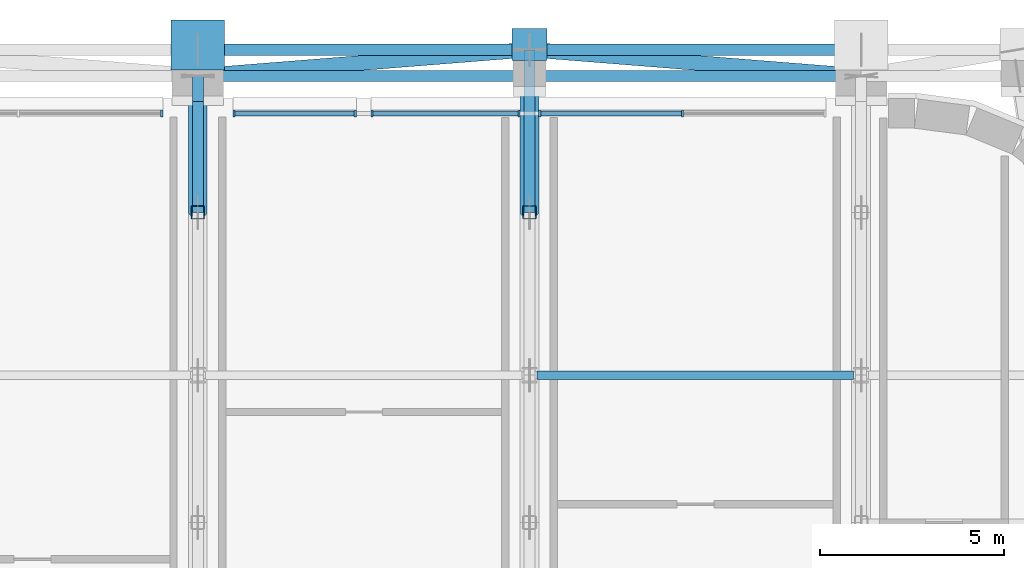
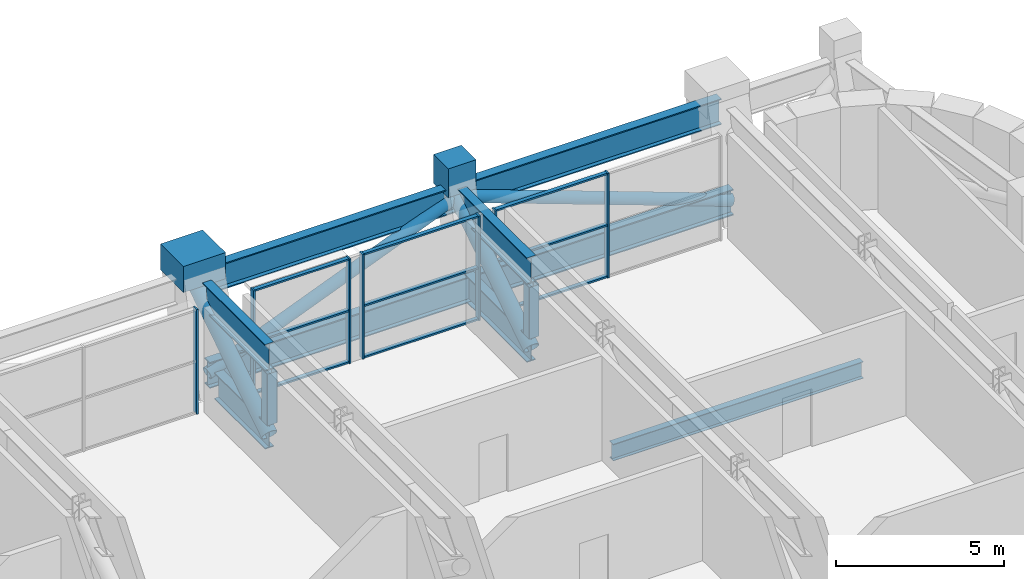
# One storey, part 10 of 26: 30 members, 3 beams, 4 elements without a shape of their own.
"""IFC4 building model written with IfcOpenShell, lengths in metres."""

from ifc_helpers import new_model, si_unit, direction, frame, origin, origin_2d, place, context, subcontext, project, spatial, rectangle, hollow_rectangle, hollow_circle, i_section, extrude, material, material_profile, profile_set, type_object, element, aggregate, save


model = new_model("IFC4")

# Units and contexts
model_context = context("Model", 3, precision=1e-05, world=origin(), true_north=direction((0.0, 1.0)))
body_context = subcontext(model_context, "Body", "Model", "MODEL_VIEW")
ifc_project = project(units=[si_unit("LENGTHUNIT", "METRE"), si_unit("AREAUNIT", "SQUARE_METRE"), si_unit("VOLUMEUNIT", "CUBIC_METRE"), si_unit("PLANEANGLEUNIT", "RADIAN"), si_unit("MASSUNIT", "GRAM", prefix="KILO")], contexts=[model_context])

# Site, building, storey
site_placement = place(None, origin())
site = spatial("IfcSite", under=ifc_project, at=site_placement, CompositionType="ELEMENT")
building_placement = place(site_placement, origin())
building = spatial("IfcBuilding", under=site, at=building_placement, Name="Zellij Exchange Tower", CompositionType="ELEMENT")
storey_placement = place(building_placement, frame((0.0, 0.0, 216.5)))
storey = spatial("IfcBuildingStorey", under=building, at=storey_placement, Name="L50", CompositionType="ELEMENT", Elevation=216.5)

# Curtain wall, members
ifc_material_1 = material(Name="Aluminium frame, clear insulating glass", Category="aluminium")
curtain_wall_type = type_object("IfcCurtainWallType", Name="ENV-CW2 Outrigger-storey glazing", PredefinedType="NOTDEFINED", material=ifc_material_1)
curtain_wall_1_placement = place(storey_placement, origin())
curtain_wall_1 = element("IfcCurtainWall", 1, at=curtain_wall_1_placement, inside=storey, type_object=curtain_wall_type, Name="cw.L50.14b.a", PredefinedType="NOTDEFINED")
ifc_material_2 = material(Name="Aluminium", Category="aluminium")
ifc_material_profile_1 = material_profile(ifc_material_2, rectangle(XDim=0.06005859375, YDim=0.199951171875, at=origin_2d()), Name="AL 60x200")
ifc_profile_set_1 = profile_set([ifc_material_profile_1], Name="Aluminium")
member_type_1 = type_object("IfcMemberType", Name="ENV-CW2M Mullion 60x200", PredefinedType="MULLION", material=ifc_profile_set_1)
member_1_placement = place(storey_placement, frame((22.14990234375, 29.10009765625, 0.0), z_axis=(0.0, 0.0, 1.0), x_axis=(-1.0, 0.0, 0.0)))
member_1 = element("IfcMember", 2, at=member_1_placement, type_object=member_type_1, Name="CW2 mullion 2", PredefinedType="MULLION", context=body_context, shape_type="SweptSolid", body=[
    extrude(rectangle(XDim=0.06005859375, YDim=0.199951171875, at=origin_2d()), origin(), (0.0, 0.0, 1.0), 3.800048828125),
])
member_2_placement = place(storey_placement, frame((18.27978515625, 29.10009765625, 0.0), z_axis=(0.0, 0.0, 1.0), x_axis=(-1.0, 0.0, 0.0)))
member_2 = element("IfcMember", 3, at=member_2_placement, type_object=member_type_1, Name="CW2 mullion 3", PredefinedType="MULLION", context=body_context, shape_type="SweptSolid", body=[
    extrude(rectangle(XDim=0.06005859375, YDim=0.199951171875, at=origin_2d()), origin(), (0.0, 0.0, 1.0), 3.800048828125),
])

curtain_wall_2_placement = place(storey_placement, origin())
curtain_wall_2 = element("IfcCurtainWall", 4, at=curtain_wall_2_placement, inside=storey, type_object=curtain_wall_type, Name="cw.L50.14b.b", PredefinedType="NOTDEFINED")
member_3_placement = place(storey_placement, frame((17.72021484375, 29.10009765625, 0.0), z_axis=(0.0, 0.0, 1.0), x_axis=(-1.0, 0.0, 0.0)))
member_3 = element("IfcMember", 5, at=member_3_placement, type_object=member_type_1, Name="CW2 mullion 1", PredefinedType="MULLION", context=body_context, shape_type="SweptSolid", body=[
    extrude(rectangle(XDim=0.06005859375, YDim=0.199951171875, at=origin_2d()), origin(), (0.0, 0.0, 1.0), 3.800048828125),
])
member_4_placement = place(storey_placement, frame((13.72998046875, 29.10009765625, 0.0), z_axis=(0.0, 0.0, 1.0), x_axis=(-1.0, 0.0, 0.0)))
member_4 = element("IfcMember", 6, at=member_4_placement, type_object=member_type_1, Name="CW2 mullion 2", PredefinedType="MULLION", context=body_context, shape_type="SweptSolid", body=[
    extrude(rectangle(XDim=0.06005859375, YDim=0.199951171875, at=origin_2d()), origin(), (0.0, 0.0, 1.0), 3.800048828125),
])

curtain_wall_3_placement = place(storey_placement, origin())
curtain_wall_3 = element("IfcCurtainWall", 7, at=curtain_wall_3_placement, inside=storey, type_object=curtain_wall_type, Name="cw.L50.14c", PredefinedType="NOTDEFINED")
member_5_placement = place(storey_placement, frame((13.27001953125, 29.10009765625, 0.0), z_axis=(0.0, 0.0, 1.0), x_axis=(-1.0, 0.0, 0.0)))
member_5 = element("IfcMember", 8, at=member_5_placement, type_object=member_type_1, Name="CW2 mullion 1", PredefinedType="MULLION", context=body_context, shape_type="SweptSolid", body=[
    extrude(rectangle(XDim=0.06005859375, YDim=0.199951171875, at=origin_2d()), origin(), (0.0, 0.0, 1.0), 3.800048828125),
])
member_6_placement = place(storey_placement, frame((9.97998046875, 29.10009765625, 0.0), z_axis=(0.0, 0.0, 1.0), x_axis=(-1.0, 0.0, 0.0)))
member_6 = element("IfcMember", 9, at=member_6_placement, type_object=member_type_1, Name="CW2 mullion 2", PredefinedType="MULLION", context=body_context, shape_type="SweptSolid", body=[
    extrude(rectangle(XDim=0.06005859375, YDim=0.199951171875, at=origin_2d()), origin(), (0.0, 0.0, 1.0), 3.800048828125),
])

# Curtain wall, member
curtain_wall_4_placement = place(storey_placement, origin())
curtain_wall_4 = element("IfcCurtainWall", 10, at=curtain_wall_4_placement, inside=storey, type_object=curtain_wall_type, Name="cw.L50.14d", PredefinedType="NOTDEFINED")
member_7_placement = place(storey_placement, frame((8.02001953125, 29.10009765625, 0.0), z_axis=(0.0, 0.0, 1.0), x_axis=(-1.0, 0.0, 0.0)))
member_7 = element("IfcMember", 11, at=member_7_placement, type_object=member_type_1, Name="CW2 mullion 1", PredefinedType="MULLION", context=body_context, shape_type="SweptSolid", body=[
    extrude(rectangle(XDim=0.06005859375, YDim=0.199951171875, at=origin_2d()), origin(), (0.0, 0.0, 1.0), 3.800048828125),
])
aggregate(curtain_wall_4, [member_7])

# Member
ifc_material_profile_2 = material_profile(ifc_material_2, rectangle(XDim=0.139892578125, YDim=0.06005859375, at=origin_2d()), Name="AL 140x60")
ifc_profile_set_2 = profile_set([ifc_material_profile_2], Name="Aluminium")
member_type_2 = type_object("IfcMemberType", Name="ENV-CW2T Transom 140x60", PredefinedType="USERDEFINED", material=ifc_profile_set_2)
member_8_placement = place(storey_placement, frame((22.119873046875, 29.10009765625, 0.030029296875), z_axis=(-1.0, 0.0, 0.0), x_axis=(0.0, -1.0, 0.0)))
member_8 = element("IfcMember", 12, at=member_8_placement, type_object=member_type_2, Name="CW2 transom 2.1", ObjectType="TRANSOM", PredefinedType="USERDEFINED", context=body_context, shape_type="SweptSolid", body=[
    extrude(rectangle(XDim=0.139892578125, YDim=0.06005859375, at=origin_2d()), origin(), (0.0, 0.0, 1.0), 3.81005859375),
])

member_9_placement = place(storey_placement, frame((22.119873046875, 29.10009765625, 1.89990234375), z_axis=(-1.0, 0.0, 0.0), x_axis=(0.0, -1.0, 0.0)))
member_9 = element("IfcMember", 13, at=member_9_placement, type_object=member_type_2, Name="CW2 transom 2.2", ObjectType="TRANSOM", PredefinedType="USERDEFINED", context=body_context, shape_type="SweptSolid", body=[
    extrude(rectangle(XDim=0.139892578125, YDim=0.06005859375, at=origin_2d()), origin(), (0.0, 0.0, 1.0), 3.81005859375),
])

member_10_placement = place(storey_placement, frame((22.119873046875, 29.10009765625, 3.77001953125), z_axis=(-1.0, 0.0, 0.0), x_axis=(0.0, -1.0, 0.0)))
member_10 = element("IfcMember", 14, at=member_10_placement, type_object=member_type_2, Name="CW2 transom 2.3", ObjectType="TRANSOM", PredefinedType="USERDEFINED", context=body_context, shape_type="SweptSolid", body=[
    extrude(rectangle(XDim=0.139892578125, YDim=0.06005859375, at=origin_2d()), origin(), (0.0, 0.0, 1.0), 3.81005859375),
])

aggregate(curtain_wall_1, [member_1, member_2, member_8, member_9, member_10])

member_11_placement = place(storey_placement, frame((17.690185546875, 29.10009765625, 0.030029296875), z_axis=(-1.0, 0.0, 0.0), x_axis=(0.0, -1.0, 0.0)))
member_11 = element("IfcMember", 15, at=member_11_placement, type_object=member_type_2, Name="CW2 transom 1.1", ObjectType="TRANSOM", PredefinedType="USERDEFINED", context=body_context, shape_type="SweptSolid", body=[
    extrude(rectangle(XDim=0.139892578125, YDim=0.06005859375, at=origin_2d()), origin(), (0.0, 0.0, 1.0), 3.93017578125),
])

member_12_placement = place(storey_placement, frame((17.690185546875, 29.10009765625, 1.89990234375), z_axis=(-1.0, 0.0, 0.0), x_axis=(0.0, -1.0, 0.0)))
member_12 = element("IfcMember", 16, at=member_12_placement, type_object=member_type_2, Name="CW2 transom 1.2", ObjectType="TRANSOM", PredefinedType="USERDEFINED", context=body_context, shape_type="SweptSolid", body=[
    extrude(rectangle(XDim=0.139892578125, YDim=0.06005859375, at=origin_2d()), origin(), (0.0, 0.0, 1.0), 3.93017578125),
])

member_13_placement = place(storey_placement, frame((17.690185546875, 29.10009765625, 3.77001953125), z_axis=(-1.0, 0.0, 0.0), x_axis=(0.0, -1.0, 0.0)))
member_13 = element("IfcMember", 17, at=member_13_placement, type_object=member_type_2, Name="CW2 transom 1.3", ObjectType="TRANSOM", PredefinedType="USERDEFINED", context=body_context, shape_type="SweptSolid", body=[
    extrude(rectangle(XDim=0.139892578125, YDim=0.06005859375, at=origin_2d()), origin(), (0.0, 0.0, 1.0), 3.93017578125),
])

aggregate(curtain_wall_2, [member_3, member_4, member_11, member_12, member_13])

member_14_placement = place(storey_placement, frame((13.239990234375, 29.10009765625, 0.030029296875), z_axis=(-1.0, 0.0, 0.0), x_axis=(0.0, -1.0, 0.0)))
member_14 = element("IfcMember", 18, at=member_14_placement, type_object=member_type_2, Name="CW2 transom 1.1", ObjectType="TRANSOM", PredefinedType="USERDEFINED", context=body_context, shape_type="SweptSolid", body=[
    extrude(rectangle(XDim=0.139892578125, YDim=0.06005859375, at=origin_2d()), origin(), (0.0, 0.0, 1.0), 3.22998046875),
])

member_15_placement = place(storey_placement, frame((13.239990234375, 29.10009765625, 1.89990234375), z_axis=(-1.0, 0.0, 0.0), x_axis=(0.0, -1.0, 0.0)))
member_15 = element("IfcMember", 19, at=member_15_placement, type_object=member_type_2, Name="CW2 transom 1.2", ObjectType="TRANSOM", PredefinedType="USERDEFINED", context=body_context, shape_type="SweptSolid", body=[
    extrude(rectangle(XDim=0.139892578125, YDim=0.06005859375, at=origin_2d()), origin(), (0.0, 0.0, 1.0), 3.22998046875),
])

member_16_placement = place(storey_placement, frame((13.239990234375, 29.10009765625, 3.77001953125), z_axis=(-1.0, 0.0, 0.0), x_axis=(0.0, -1.0, 0.0)))
member_16 = element("IfcMember", 20, at=member_16_placement, type_object=member_type_2, Name="CW2 transom 1.3", ObjectType="TRANSOM", PredefinedType="USERDEFINED", context=body_context, shape_type="SweptSolid", body=[
    extrude(rectangle(XDim=0.139892578125, YDim=0.06005859375, at=origin_2d()), origin(), (0.0, 0.0, 1.0), 3.22998046875),
])

aggregate(curtain_wall_3, [member_5, member_6, member_14, member_15, member_16])

# Members
ifc_material_3 = material(Name="Structural steel ASTM A992 Gr 50", Category="steel")
ifc_material_profile_3 = material_profile(ifc_material_3, i_section(OverallWidth=0.307373046875, OverallDepth=0.9423828125, WebThickness=0.022216796875, FlangeThickness=0.039794921875, at=origin_2d()), Name="W36x232")
ifc_profile_set_3 = profile_set([ifc_material_profile_3], Name="Structural steel ASTM A992 Gr 50")
member_type_3 = type_object("IfcMemberType", Name="STR-BELT TRUSS CHORD W36x232", PredefinedType="CHORD", material=ifc_profile_set_3)
for number, where, z_axis, x_axis, name in (
    (21, (9.0, 30.117919921875, 0.47119140625), (1.0, 0.0, 0.0), (0.0, 1.0, 0.0), "BT1"),
    (22, (9.0, 30.832275390625, 3.328857421875), (1.0, 0.0, 0.0), (0.0, 1.0, 0.0), "BT1"),
    (23, (18.0, 30.117919921875, 0.47119140625), (1.0, 0.0, 0.0), (0.0, 1.0, 0.0), "BT1"),
    (24, (18.0, 30.832275390625, 3.328857421875), (1.0, 0.0, 0.0), (0.0, 1.0, 0.0), "BT1"),
):
    element("IfcMember", number, at=place(storey_placement, frame(where, z_axis=z_axis, x_axis=x_axis)), inside=storey, type_object=member_type_3, Name=name, PredefinedType="CHORD", context=body_context, shape_type="SweptSolid", body=[
        extrude(i_section(OverallWidth=0.307373046875, OverallDepth=0.9423828125, WebThickness=0.022216796875, FlangeThickness=0.039794921875, at=origin_2d()), origin(), (0.0, 0.0, 1.0), 9.0),
    ])
ifc_material_4 = material(Name="Structural steel ASTM A500 Gr C", Category="steel")
ifc_material_profile_4 = material_profile(ifc_material_4, hollow_circle(Radius=0.203125, WallThickness=0.01171875, at=origin_2d()), Name="STR-BELT TRUSS DIAGONAL HSS16.000x0.500")
ifc_profile_set_4 = profile_set([ifc_material_profile_4], Name="Structural steel ASTM A500 Gr C")
member_type_4 = type_object("IfcMemberType", Name="STR-BELT TRUSS DIAGONAL HSS16.000x0.500", PredefinedType="BRACE", material=ifc_profile_set_4)
for number, where, z_axis, x_axis, name in (
    (25, (9.0, 30.117919921875, 0.47119140625), (0.950392591406, 0.075435349459, 0.301767178885), (-0.079123978831, 0.996864783195, 0.0), "BT2"),
    (26, (18.0, 30.832275390625, 3.328857421875), (0.950392591406, -0.075435349459, -0.301767178885), (0.079123978831, 0.996864783195, 0.0), "BT2"),
):
    element("IfcMember", number, at=place(storey_placement, frame(where, z_axis=z_axis, x_axis=x_axis)), inside=storey, type_object=member_type_4, Name=name, PredefinedType="BRACE", context=body_context, shape_type="SweptSolid", body=[
        extrude(hollow_circle(Radius=0.203125, WallThickness=0.01171875, at=origin_2d()), origin(), (0.0, 0.0, 1.0), 9.4697265625),
    ])

# Beams
ifc_material_profile_5 = material_profile(ifc_material_3, i_section(OverallWidth=0.228271484375, OverallDepth=0.607177734375, WebThickness=0.01123046875, FlangeThickness=0.017333984375, at=origin_2d()), Name="W24x76")
ifc_profile_set_5 = profile_set([ifc_material_profile_5], Name="Structural steel ASTM A992 Gr 50")
beam_type_1 = type_object("IfcBeamType", Name="STR-GIRDER W24x76", PredefinedType="BEAM", material=ifc_profile_set_5)
beam_1_placement = place(storey_placement, frame((18.20458984375, 22.0, -0.653564453125), z_axis=(1.0, 0.0, 0.0), x_axis=(0.0, 1.0, 0.0)))
element("IfcBeam", 27, at=beam_1_placement, inside=storey, type_object=beam_type_1, Name="G2", PredefinedType="BEAM", context=body_context, shape_type="SweptSolid", body=[
    extrude(i_section(OverallWidth=0.228271484375, OverallDepth=0.607177734375, WebThickness=0.01123046875, FlangeThickness=0.017333984375, at=origin_2d()), origin(), (0.0, 0.0, 1.0), 8.5908203125),
])
ifc_material_5 = material(Name="Concrete C60/75", Category="concrete")
ifc_material_profile_6 = material_profile(ifc_material_5, rectangle(XDim=1.449951171875, YDim=0.949951171875, at=origin_2d()), Name="STR-KNUCKLE BLOCK RC1450x950 C60/75")
ifc_profile_set_6 = profile_set([ifc_material_profile_6], Name="Concrete C60/75")
beam_type_2 = type_object("IfcBeamType", Name="STR-KNUCKLE BLOCK RC1450x950 C60/75", PredefinedType="BEAM", material=ifc_profile_set_6)
beam_2_placement = place(storey_placement, frame((9.0, 30.278564453125, 4.02490234375), z_axis=(0.0, 1.0, 0.0), x_axis=(-1.0, 0.0, 0.0)))
element("IfcBeam", 28, at=beam_2_placement, inside=storey, type_object=beam_type_2, Name="KB7", PredefinedType="BEAM", context=body_context, shape_type="SweptSolid", body=[
    extrude(rectangle(XDim=1.449951171875, YDim=0.949951171875, at=origin_2d()), origin(), (0.0, 0.0, 1.0), 1.358154296875),
])
ifc_material_profile_7 = material_profile(ifc_material_5, rectangle(XDim=0.949951171875, YDim=1.050048828125, at=origin_2d()), Name="STR-KNUCKLE BLOCK RC950x1050 C60/75")
ifc_profile_set_7 = profile_set([ifc_material_profile_7], Name="Concrete C60/75")
beam_type_3 = type_object("IfcBeamType", Name="STR-KNUCKLE BLOCK RC950x1050 C60/75", PredefinedType="BEAM", material=ifc_profile_set_7)
beam_3_placement = place(storey_placement, frame((18.0, 30.5361328125, 4.125), z_axis=(0.0, 1.0, 0.0), x_axis=(-1.0, 0.0, 0.0)))
element("IfcBeam", 29, at=beam_3_placement, inside=storey, type_object=beam_type_3, Name="KB2", PredefinedType="BEAM", context=body_context, shape_type="SweptSolid", body=[
    extrude(rectangle(XDim=0.949951171875, YDim=1.050048828125, at=origin_2d()), origin(), (0.0, 0.0, 1.0), 0.873046875),
])

# Members
ifc_material_6 = material(Name="Structural steel ASTM A913 Gr 65", Category="steel")
ifc_material_profile_8 = material_profile(ifc_material_6, i_section(OverallWidth=0.2998046875, OverallDepth=0.965087890625, WebThickness=0.01904296875, FlangeThickness=0.0361328125, at=origin_2d()), Name="W40x249")
ifc_profile_set_8 = profile_set([ifc_material_profile_8], Name="Structural steel ASTM A913 Gr 65")
member_type_5 = type_object("IfcMemberType", Name="STR-OUTRIGGER TRUSS CHORD W40x249", PredefinedType="CHORD", material=ifc_profile_set_8)
member_17_placement = place(storey_placement, frame((9.0, 26.4150390625, 3.3173828125), z_axis=(0.0, 1.0, 0.0), x_axis=(-1.0, 0.0, 0.0)))
element("IfcMember", 30, at=member_17_placement, inside=storey, type_object=member_type_5, Name="OT1", PredefinedType="CHORD", context=body_context, shape_type="SweptSolid", body=[
    extrude(i_section(OverallWidth=0.2998046875, OverallDepth=0.965087890625, WebThickness=0.01904296875, FlangeThickness=0.0361328125, at=origin_2d()), origin(), (0.0, 0.0, 1.0), 3.71435546875),
])
member_18_placement = place(storey_placement, frame((9.0, 26.4150390625, 0.482666015625), z_axis=(0.0, 1.0, 0.0), x_axis=(-1.0, 0.0, 0.0)))
element("IfcMember", 31, at=member_18_placement, inside=storey, type_object=member_type_5, Name="OT1", PredefinedType="CHORD", context=body_context, shape_type="SweptSolid", body=[
    extrude(i_section(OverallWidth=0.2998046875, OverallDepth=0.965087890625, WebThickness=0.01904296875, FlangeThickness=0.0361328125, at=origin_2d()), origin(), (0.0, 0.0, 1.0), 3.005615234375),
])
member_19_placement = place(storey_placement, frame((18.0, 26.4150390625, 3.3173828125), z_axis=(0.0, 1.0, 0.0), x_axis=(-1.0, 0.0, 0.0)))
element("IfcMember", 32, at=member_19_placement, inside=storey, type_object=member_type_5, Name="OT1", PredefinedType="CHORD", context=body_context, shape_type="SweptSolid", body=[
    extrude(i_section(OverallWidth=0.2998046875, OverallDepth=0.965087890625, WebThickness=0.01904296875, FlangeThickness=0.0361328125, at=origin_2d()), origin(), (0.0, 0.0, 1.0), 4.414306640625),
])
member_20_placement = place(storey_placement, frame((18.0, 26.4150390625, 0.482666015625), z_axis=(0.0, 1.0, 0.0), x_axis=(-1.0, 0.0, 0.0)))
element("IfcMember", 33, at=member_20_placement, inside=storey, type_object=member_type_5, Name="OT1", PredefinedType="CHORD", context=body_context, shape_type="SweptSolid", body=[
    extrude(i_section(OverallWidth=0.2998046875, OverallDepth=0.965087890625, WebThickness=0.01904296875, FlangeThickness=0.0361328125, at=origin_2d()), origin(), (0.0, 0.0, 1.0), 3.70556640625),
])
ifc_material_profile_9 = material_profile(ifc_material_4, hollow_circle(Radius=0.25390625, WallThickness=0.01171875, at=origin_2d()), Name="STR-OUTRIGGER TRUSS DIAGONAL HSS20.000x0.500")
ifc_profile_set_9 = profile_set([ifc_material_profile_9], Name="Structural steel ASTM A500 Gr C")
member_type_6 = type_object("IfcMemberType", Name="STR-OUTRIGGER TRUSS DIAGONAL HSS20.000x0.500", PredefinedType="BRACE", material=ifc_profile_set_9)
for number, where, z_axis, x_axis, name in (
    (34, (9.0, 26.4150390625, 0.482666015625), (0.0, 0.84144298271, 0.540345914067), (-1.0, 0.0, 0.0), "OT2"),
    (35, (18.0, 26.4150390625, 0.482666015625), (0.0, 0.84144298271, 0.540345914067), (-1.0, 0.0, 0.0), "OT2"),
):
    element("IfcMember", number, at=place(storey_placement, frame(where, z_axis=z_axis, x_axis=x_axis)), inside=storey, type_object=member_type_6, Name=name, PredefinedType="BRACE", context=body_context, shape_type="SweptSolid", body=[
        extrude(hollow_circle(Radius=0.25390625, WallThickness=0.01171875, at=origin_2d()), origin(), (0.0, 0.0, 1.0), 5.24609375),
    ])
ifc_material_profile_10 = material_profile(ifc_material_4, hollow_rectangle(XDim=0.355712890625, YDim=0.355712890625, WallThickness=0.01171875, InnerFilletRadius=0.01171875, OuterFilletRadius=0.023681640625, at=origin_2d()), Name="STR-OUTRIGGER TRUSS POST HSS14x14x1/2")
ifc_profile_set_10 = profile_set([ifc_material_profile_10], Name="Structural steel ASTM A500 Gr C")
member_type_7 = type_object("IfcMemberType", Name="STR-OUTRIGGER TRUSS POST HSS14x14x1/2", PredefinedType="POST", material=ifc_profile_set_10)
for number, where, z_axis, x_axis, name in (
    (36, (9.0, 26.4150390625, 0.965087890625), (0.0, 0.0, 1.0), (1.0, 0.0, 0.0), "OT3"),
    (37, (18.0, 26.4150390625, 0.965087890625), (0.0, 0.0, 1.0), (1.0, 0.0, 0.0), "OT3"),
):
    element("IfcMember", number, at=place(storey_placement, frame(where, z_axis=z_axis, x_axis=x_axis)), inside=storey, type_object=member_type_7, Name=name, PredefinedType="POST", context=body_context, shape_type="SweptSolid", body=[
        extrude(hollow_rectangle(XDim=0.355712890625, YDim=0.355712890625, WallThickness=0.01171875, InnerFilletRadius=0.01171875, OuterFilletRadius=0.023681640625, at=origin_2d()), origin(), (0.0, 0.0, 1.0), 1.86962890625),
    ])

save(model, "model.ifc")
